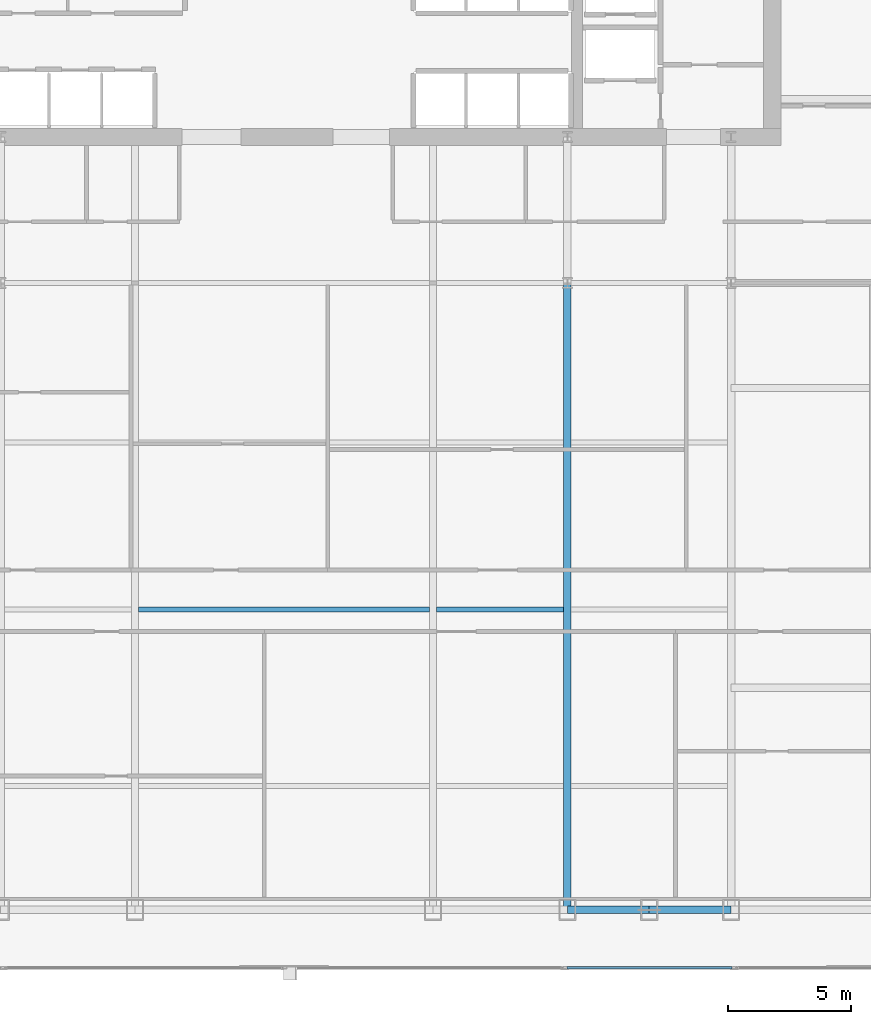
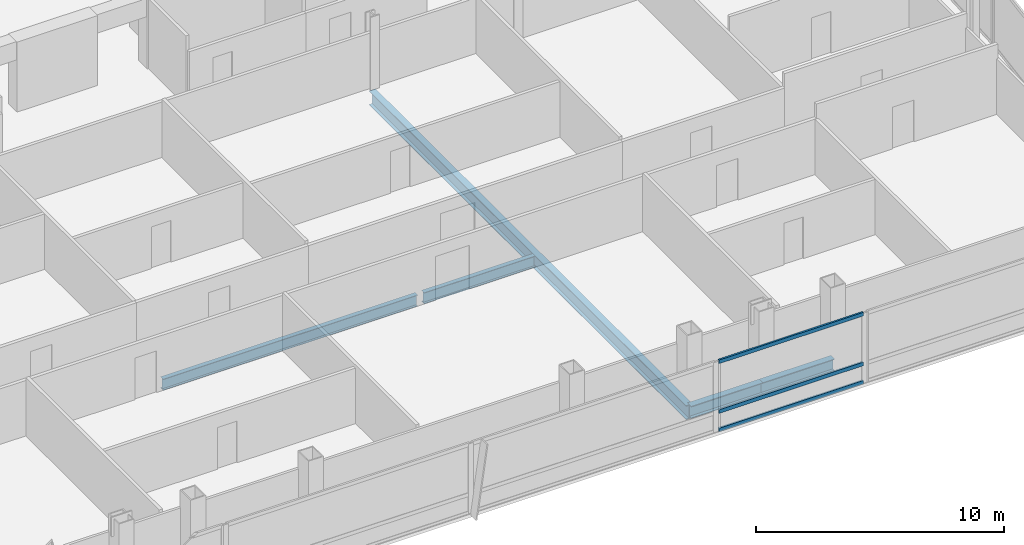
# One storey, part 14 of 32: 5 beams, 3 members, 1 element without a shape of its own.
"""IFC4 building model written with IfcOpenShell, lengths in metres."""

from ifc_helpers import new_model, si_unit, direction, frame, origin, origin_2d, place, context, subcontext, project, spatial, hollow_rectangle, i_section, extrude, material, material_profile, profile_set, type_object, element, aggregate, save


model = new_model("IFC4")

# Units and contexts
model_context = context("Model", 3, precision=1e-05, world=origin(), true_north=direction((0.0, 1.0)))
body_context = subcontext(model_context, "Body", "Model", "MODEL_VIEW")
ifc_project = project(units=[si_unit("LENGTHUNIT", "METRE"), si_unit("AREAUNIT", "SQUARE_METRE"), si_unit("VOLUMEUNIT", "CUBIC_METRE"), si_unit("PLANEANGLEUNIT", "RADIAN"), si_unit("MASSUNIT", "GRAM", prefix="KILO")], contexts=[model_context])

# Site, building, storey
site_placement = place(None, origin())
site = spatial("IfcSite", under=ifc_project, at=site_placement, CompositionType="ELEMENT")
building_placement = place(site_placement, origin())
building = spatial("IfcBuilding", under=site, at=building_placement, Name="Khoronbel Lancet Exchange", CompositionType="ELEMENT")
storey_placement = place(building_placement, frame((0.0, 0.0, 125.39990234375)))
storey = spatial("IfcBuildingStorey", under=building, at=storey_placement, Name="L30", CompositionType="ELEMENT", Elevation=125.39990234375)

# Beams
ifc_material_1 = material(Name="Steel S355", Category="steel")
ifc_material_profile_1 = material_profile(ifc_material_1, i_section(OverallWidth=0.300048828125, OverallDepth=0.699951171875, WebThickness=0.01708984375, FlangeThickness=0.031982421875, at=origin_2d()), Name="HEB 700")
ifc_profile_set_1 = profile_set([ifc_material_profile_1], Name="Steel S355")
beam_type_1 = type_object("IfcBeamType", Name="BM-BG3", PredefinedType="BEAM", material=ifc_profile_set_1)
beam_1_placement = place(storey_placement, frame((48.0, 10.14990234375, -0.510009765625), z_axis=(0.0, 1.0, 0.0), x_axis=(-1.0, 0.0, 0.0)))
element("IfcBeam", 1, at=beam_1_placement, inside=storey, type_object=beam_type_1, Name="Level L30 south primary girder GS5", PredefinedType="BEAM", context=body_context, shape_type="SweptSolid", body=[
    extrude(i_section(OverallWidth=0.300048828125, OverallDepth=0.699951171875, WebThickness=0.01708984375, FlangeThickness=0.031982421875, at=origin_2d()), origin(), (0.0, 0.0, 1.0), 25.550048828125),
])
ifc_material_profile_2 = material_profile(ifc_material_1, i_section(OverallWidth=0.2099609375, OverallDepth=0.550048828125, WebThickness=0.010986328125, FlangeThickness=0.01708984375, at=origin_2d()), Name="IPE 550")
ifc_profile_set_2 = profile_set([ifc_material_profile_2], Name="Steel S355")
beam_type_2 = type_object("IfcBeamType", Name="BM-BJ2", PredefinedType="JOIST", material=ifc_profile_set_2)
beam_2_placement = place(storey_placement, frame((30.52490234375, 22.39990234375, -0.434814453125), z_axis=(1.0, 0.0, 0.0), x_axis=(0.0, 1.0, 0.0)))
element("IfcBeam", 2, at=beam_2_placement, inside=storey, type_object=beam_type_2, Name="Level L30 secondary composite joist J08", PredefinedType="JOIST", context=body_context, shape_type="SweptSolid", body=[
    extrude(i_section(OverallWidth=0.2099609375, OverallDepth=0.550048828125, WebThickness=0.010986328125, FlangeThickness=0.01708984375, at=origin_2d()), origin(), (0.0, 0.0, 1.0), 11.85009765625),
])
beam_3_placement = place(storey_placement, frame((42.675048828125, 22.39990234375, -0.434814453125), z_axis=(1.0, 0.0, 0.0), x_axis=(0.0, 1.0, 0.0)))
element("IfcBeam", 3, at=beam_3_placement, inside=storey, type_object=beam_type_2, Name="Level L30 secondary composite joist J09", PredefinedType="JOIST", context=body_context, shape_type="SweptSolid", body=[
    extrude(i_section(OverallWidth=0.2099609375, OverallDepth=0.550048828125, WebThickness=0.010986328125, FlangeThickness=0.01708984375, at=origin_2d()), origin(), (0.0, 0.0, 1.0), 5.175048828125),
])
ifc_material_profile_3 = material_profile(ifc_material_1, i_section(OverallWidth=0.300048828125, OverallDepth=0.60009765625, WebThickness=0.015380859375, FlangeThickness=0.030029296875, at=origin_2d()), Name="HEB 600")
ifc_profile_set_3 = profile_set([ifc_material_profile_3], Name="Steel S355")
beam_type_3 = type_object("IfcBeamType", Name="BM-BSP2", PredefinedType="SPANDREL", material=ifc_profile_set_3)
beam_4_placement = place(storey_placement, frame((48.0, 10.14990234375, -0.4599609375), z_axis=(1.0, 0.0, 0.0), x_axis=(0.0, 1.0, 0.0)))
element("IfcBeam", 4, at=beam_4_placement, inside=storey, type_object=beam_type_3, Name="Level L30 perimeter spandrel beam SP07", PredefinedType="SPANDREL", context=body_context, shape_type="SweptSolid", body=[
    extrude(i_section(OverallWidth=0.300048828125, OverallDepth=0.60009765625, WebThickness=0.015380859375, FlangeThickness=0.030029296875, at=origin_2d()), origin(), (0.0, 0.0, 1.0), 3.33740234375),
])
beam_5_placement = place(storey_placement, frame((51.33740234375, 10.14990234375, -0.4599609375), z_axis=(1.0, 0.0, 0.0), x_axis=(0.0, 1.0, 0.0)))
element("IfcBeam", 5, at=beam_5_placement, inside=storey, type_object=beam_type_3, Name="Level L30 perimeter spandrel beam SP08", PredefinedType="SPANDREL", context=body_context, shape_type="SweptSolid", body=[
    extrude(i_section(OverallWidth=0.300048828125, OverallDepth=0.60009765625, WebThickness=0.015380859375, FlangeThickness=0.030029296875, at=origin_2d()), origin(), (0.0, 0.0, 1.0), 3.337646484375),
])

# Curtain wall, members
ifc_material_2 = material(Name="Low-E Solar Control Insulating Glass", Category="glass")
curtain_wall_type = type_object("IfcCurtainWallType", Name="CW-2", PredefinedType="NOTDEFINED", material=ifc_material_2)
curtain_wall_placement = place(storey_placement, origin())
curtain_wall = element("IfcCurtainWall", 6, at=curtain_wall_placement, inside=storey, type_object=curtain_wall_type, Name="Unitised curtain wall CW-L30-SEB", PredefinedType="NOTDEFINED")
ifc_material_3 = material(Name="Bronze-Anodised Aluminium 6063-T6", Category="aluminium")
ifc_material_profile_4 = material_profile(ifc_material_3, hollow_rectangle(XDim=0.0849609375, YDim=0.179931640625, WallThickness=0.0048828125, at=origin_2d()), Name="ALU TRANSOM 85x180")
ifc_profile_set_4 = profile_set([ifc_material_profile_4], Name="Bronze-Anodised Aluminium 6063-T6")
member_type = type_object("IfcMemberType", Name="MEM-CWT1", PredefinedType="USERDEFINED", material=ifc_profile_set_4)
member_1_placement = place(storey_placement, frame((47.985107421875, 7.7900390625, 0.04248046875), z_axis=(1.0, 0.0, 0.0), x_axis=(0.0, 1.0, 0.0)))
member_1 = element("IfcMember", 7, at=member_1_placement, type_object=member_type, Name="CW2 transom 1.1", ObjectType="TRANSOM", PredefinedType="USERDEFINED", context=body_context, shape_type="SweptSolid", body=[
    extrude(hollow_rectangle(XDim=0.0849609375, YDim=0.179931640625, WallThickness=0.0048828125, at=origin_2d()), origin(), (0.0, 0.0, 1.0), 6.72998046875),
])
member_2_placement = place(storey_placement, frame((47.985107421875, 7.7900390625, 0.9501953125), z_axis=(1.0, 0.0, 0.0), x_axis=(0.0, 1.0, 0.0)))
member_2 = element("IfcMember", 8, at=member_2_placement, type_object=member_type, Name="CW2 transom 1.2", ObjectType="TRANSOM", PredefinedType="USERDEFINED", context=body_context, shape_type="SweptSolid", body=[
    extrude(hollow_rectangle(XDim=0.0849609375, YDim=0.179931640625, WallThickness=0.0048828125, at=origin_2d()), origin(), (0.0, 0.0, 1.0), 6.72998046875),
])
member_3_placement = place(storey_placement, frame((47.985107421875, 7.7900390625, 3.397705078125), z_axis=(1.0, 0.0, 0.0), x_axis=(0.0, 1.0, 0.0)))
member_3 = element("IfcMember", 9, at=member_3_placement, type_object=member_type, Name="CW2 transom 1.3", ObjectType="TRANSOM", PredefinedType="USERDEFINED", context=body_context, shape_type="SweptSolid", body=[
    extrude(hollow_rectangle(XDim=0.0849609375, YDim=0.179931640625, WallThickness=0.0048828125, at=origin_2d()), origin(), (0.0, 0.0, 1.0), 6.72998046875),
])
aggregate(curtain_wall, [member_1, member_2, member_3])

save(model, "model.ifc")
